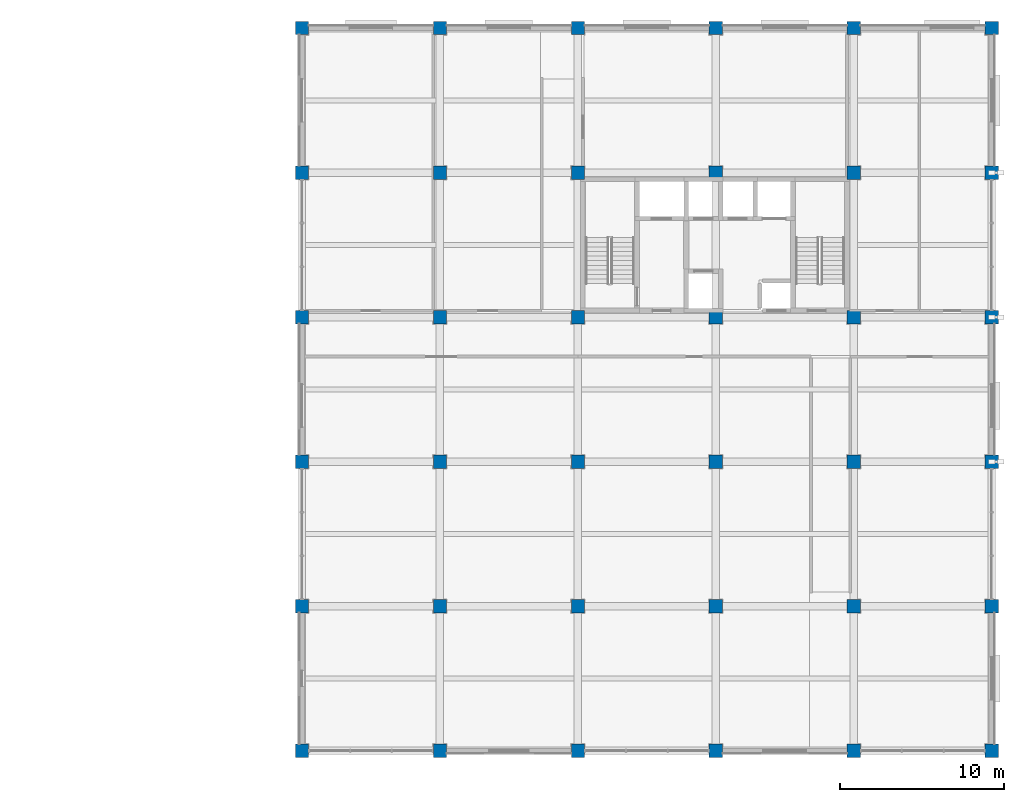
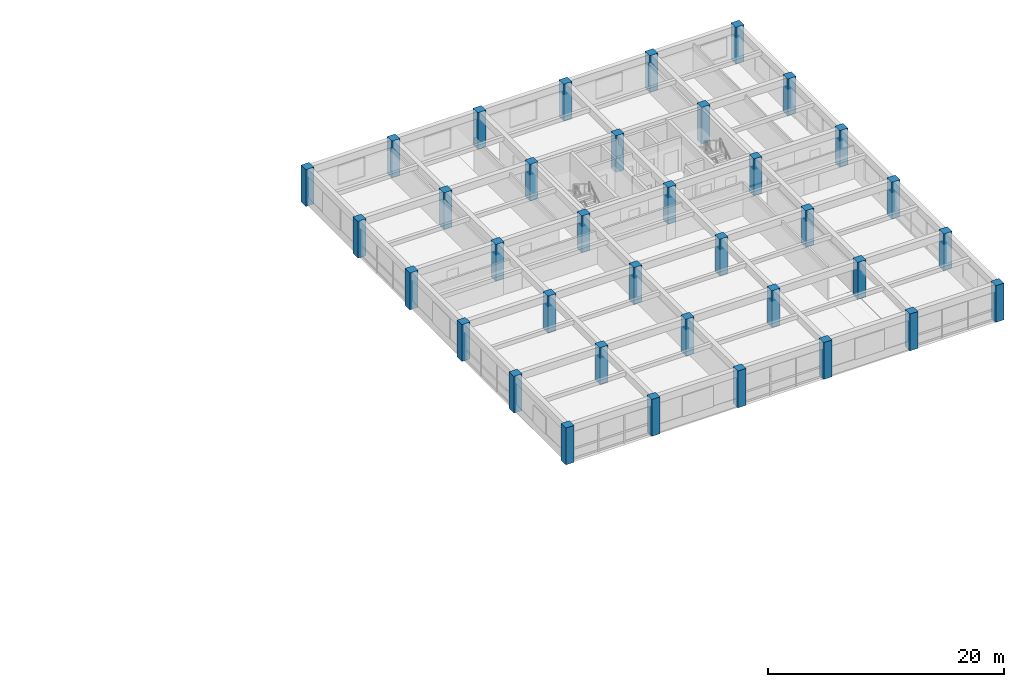
# One storey, part 1 of 16: 36 columns.
"""IFC4 building model written with IfcOpenShell, lengths in metres."""

from ifc_helpers import new_model, si_unit, direction, frame, origin, origin_2d, place, context, subcontext, project, spatial, rectangle, extrude, material, material_profile, profile_set, type_object, element, save


model = new_model("IFC4")

# Units and contexts
model_context = context("Model", 3, precision=1e-05, world=origin(), true_north=direction((0.0, 1.0)))
body_context = subcontext(model_context, "Body", "Model", "MODEL_VIEW")
ifc_project = project(units=[si_unit("LENGTHUNIT", "METRE"), si_unit("AREAUNIT", "SQUARE_METRE"), si_unit("VOLUMEUNIT", "CUBIC_METRE"), si_unit("PLANEANGLEUNIT", "RADIAN"), si_unit("MASSUNIT", "GRAM", prefix="KILO")], contexts=[model_context])

# Site, building, storey
site_placement = place(None, origin())
site = spatial("IfcSite", under=ifc_project, at=site_placement, CompositionType="ELEMENT")
building_placement = place(site_placement, origin())
building = spatial("IfcBuilding", under=site, at=building_placement, Name="Kemercrest Conservatory and Botanical Centre", CompositionType="ELEMENT")
storey_placement = place(building_placement, frame((0.0, 0.0, 17.199951171875)))
storey = spatial("IfcBuildingStorey", under=building, at=storey_placement, Name="L04", CompositionType="ELEMENT", Elevation=17.199951171875)

# Columns
ifc_material = material(Name="Concrete C50/60", Category="concrete")
ifc_material_profile = material_profile(ifc_material, rectangle(XDim=0.800048828125, YDim=0.800048828125, at=origin_2d()), Name="RC 800x800")
ifc_profile_set = profile_set([ifc_material_profile], Name="Concrete C50/60")
column_type = type_object("IfcColumnType", Name="C-RC80", PredefinedType="COLUMN", material=ifc_profile_set)
for number, where, z_axis, x_axis, name in (
    (1, (134.0, 78.39990234375, 0.0), (0.0, 0.0, 1.0), (1.0, 0.0, 0.0), "Tower column C-RC80 16/J"),
    (2, (134.0, 87.199951171875, 0.0), (0.0, 0.0, 1.0), (1.0, 0.0, 0.0), "Tower column C-RC80 16/K"),
    (3, (134.0, 96.0, 0.0), (0.0, 0.0, 1.0), (1.0, 0.0, 0.0), "Tower column C-RC80 16/L"),
    (4, (134.0, 104.800048828125, 0.0), (0.0, 0.0, 1.0), (1.0, 0.0, 0.0), "Tower column C-RC80 16/M"),
    (5, (134.0, 113.60009765625, 0.0), (0.0, 0.0, 1.0), (1.0, 0.0, 0.0), "Tower column C-RC80 16/N"),
    (6, (134.0, 122.39990234375, 0.0), (0.0, 0.0, 1.0), (1.0, 0.0, 0.0), "Tower column C-RC80 16/P"),
    (7, (142.39990234375, 78.39990234375, 0.0), (0.0, 0.0, 1.0), (1.0, 0.0, 0.0), "Tower column C-RC80 17/J"),
    (8, (142.39990234375, 87.199951171875, 0.0), (0.0, 0.0, 1.0), (1.0, 0.0, 0.0), "Tower column C-RC80 17/K"),
    (9, (142.39990234375, 96.0, 0.0), (0.0, 0.0, 1.0), (1.0, 0.0, 0.0), "Tower column C-RC80 17/L"),
    (10, (142.39990234375, 104.800048828125, 0.0), (0.0, 0.0, 1.0), (1.0, 0.0, 0.0), "Tower column C-RC80 17/M"),
    (11, (142.39990234375, 113.60009765625, 0.0), (0.0, 0.0, 1.0), (1.0, 0.0, 0.0), "Tower column C-RC80 17/N"),
    (12, (142.39990234375, 122.39990234375, 0.0), (0.0, 0.0, 1.0), (1.0, 0.0, 0.0), "Tower column C-RC80 17/P"),
    (13, (150.800048828125, 78.39990234375, 0.0), (0.0, 0.0, 1.0), (1.0, 0.0, 0.0), "Tower column C-RC80 18/J"),
    (14, (150.800048828125, 87.199951171875, 0.0), (0.0, 0.0, 1.0), (1.0, 0.0, 0.0), "Tower column C-RC80 18/K"),
    (15, (150.800048828125, 96.0, 0.0), (0.0, 0.0, 1.0), (1.0, 0.0, 0.0), "Tower column C-RC80 18/L"),
    (16, (150.800048828125, 104.800048828125, 0.0), (0.0, 0.0, 1.0), (1.0, 0.0, 0.0), "Tower column C-RC80 18/M"),
    (17, (150.800048828125, 113.60009765625, 0.0), (0.0, 0.0, 1.0), (1.0, 0.0, 0.0), "Tower column C-RC80 18/N"),
    (18, (150.800048828125, 122.39990234375, 0.0), (0.0, 0.0, 1.0), (1.0, 0.0, 0.0), "Tower column C-RC80 18/P"),
    (19, (159.199951171875, 78.39990234375, 0.0), (0.0, 0.0, 1.0), (1.0, 0.0, 0.0), "Tower column C-RC80 19/J"),
    (20, (159.199951171875, 87.199951171875, 0.0), (0.0, 0.0, 1.0), (1.0, 0.0, 0.0), "Tower column C-RC80 19/K"),
    (21, (159.199951171875, 96.0, 0.0), (0.0, 0.0, 1.0), (1.0, 0.0, 0.0), "Tower column C-RC80 19/L"),
    (22, (159.199951171875, 104.800048828125, 0.0), (0.0, 0.0, 1.0), (1.0, 0.0, 0.0), "Tower column C-RC80 19/M"),
    (23, (159.199951171875, 113.60009765625, 0.0), (0.0, 0.0, 1.0), (1.0, 0.0, 0.0), "Tower column C-RC80 19/N"),
    (24, (159.199951171875, 122.39990234375, 0.0), (0.0, 0.0, 1.0), (1.0, 0.0, 0.0), "Tower column C-RC80 19/P"),
    (25, (167.60009765625, 78.39990234375, 0.0), (0.0, 0.0, 1.0), (1.0, 0.0, 0.0), "Tower column C-RC80 20/J"),
    (26, (167.60009765625, 87.199951171875, 0.0), (0.0, 0.0, 1.0), (1.0, 0.0, 0.0), "Tower column C-RC80 20/K"),
    (27, (167.60009765625, 96.0, 0.0), (0.0, 0.0, 1.0), (1.0, 0.0, 0.0), "Tower column C-RC80 20/L"),
    (28, (167.60009765625, 104.800048828125, 0.0), (0.0, 0.0, 1.0), (1.0, 0.0, 0.0), "Tower column C-RC80 20/M"),
    (29, (167.60009765625, 113.60009765625, 0.0), (0.0, 0.0, 1.0), (1.0, 0.0, 0.0), "Tower column C-RC80 20/N"),
    (30, (167.60009765625, 122.39990234375, 0.0), (0.0, 0.0, 1.0), (1.0, 0.0, 0.0), "Tower column C-RC80 20/P"),
    (31, (176.0, 78.39990234375, 0.0), (0.0, 0.0, 1.0), (1.0, 0.0, 0.0), "Tower column C-RC80 21/J"),
    (32, (176.0, 87.199951171875, 0.0), (0.0, 0.0, 1.0), (1.0, 0.0, 0.0), "Tower column C-RC80 21/K"),
    (33, (176.0, 96.0, 0.0), (0.0, 0.0, 1.0), (1.0, 0.0, 0.0), "Tower column C-RC80 21/L"),
    (34, (176.0, 104.800048828125, 0.0), (0.0, 0.0, 1.0), (1.0, 0.0, 0.0), "Tower column C-RC80 21/M"),
    (35, (176.0, 113.60009765625, 0.0), (0.0, 0.0, 1.0), (1.0, 0.0, 0.0), "Tower column C-RC80 21/N"),
    (36, (176.0, 122.39990234375, 0.0), (0.0, 0.0, 1.0), (1.0, 0.0, 0.0), "Tower column C-RC80 21/P"),
):
    element("IfcColumn", number, at=place(storey_placement, frame(where, z_axis=z_axis, x_axis=x_axis)), inside=storey, type_object=column_type, Name=name, PredefinedType="COLUMN", context=body_context, shape_type="SweptSolid", body=[
        extrude(rectangle(XDim=0.800048828125, YDim=0.800048828125, at=origin_2d()), origin(), (0.0, 0.0, 1.0), 3.800048828125),
    ])

save(model, "model.ifc")
